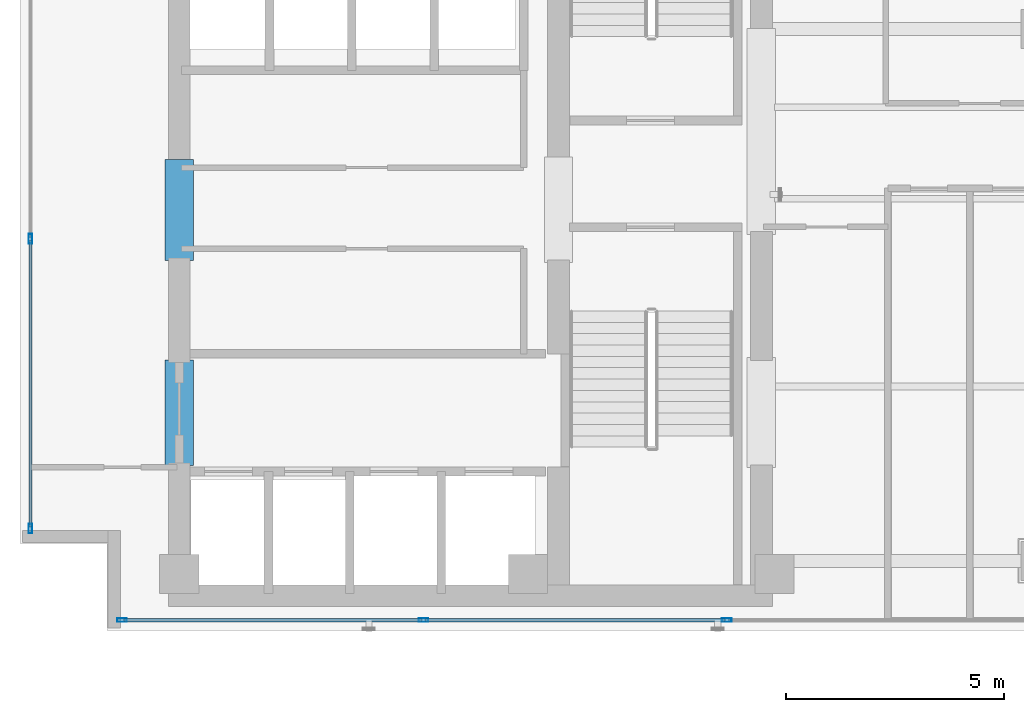
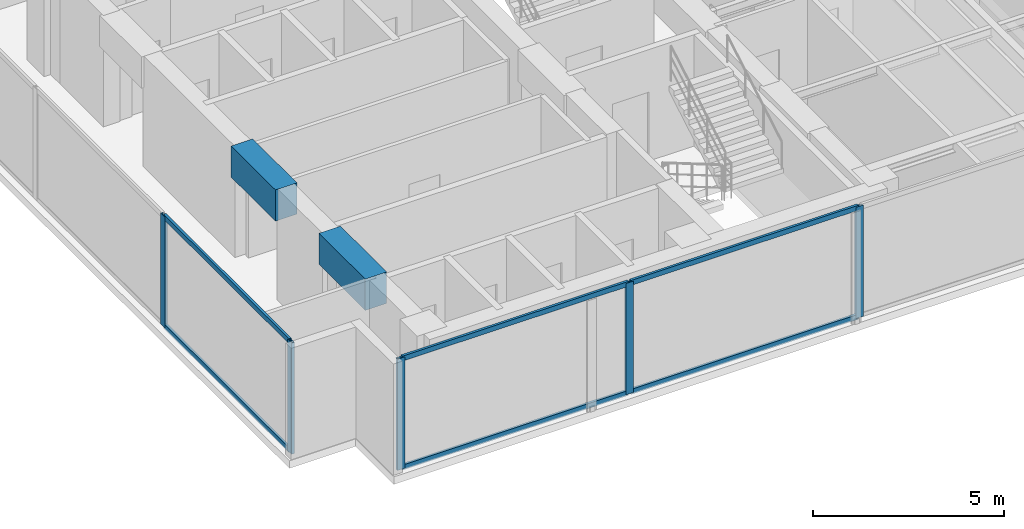
# One storey, part 2 of 22: 11 members, 2 beams, 2 elements without a shape of their own.
"""IFC4 building model written with IfcOpenShell, lengths in metres."""

import ifcopenshell
import ifcopenshell.guid

model = None  # the IFC model being written
_history = None  # IfcOwnerHistory: only IFC2X3 demands one
_inside = {}  # id of a spatial element -> (the spatial element, [elements in it])
_under = {}  # id of a project, library or spatial element -> (it, [spatial elements below it])
_declared = {}  # id of a project -> (the project, [libraries it declares])
_typed = {}  # id of a type object -> (the type object, [elements of that type])
_made_of = {}  # id of a material, layer set ... -> (it, [elements and type objects made of it])


def new_model(schema):
    """Start an empty IFC model of exactly this schema.

    Asked for "IFC4X3", IfcOpenShell would pick the latest addendum, in which some entities
    have other attributes; the version numbers below select the first issue.
    IFC2X3 requires an IfcOwnerHistory on every rooted entity: one is made here for all.
    """
    global model, _history
    if schema == "IFC4X3":
        model = ifcopenshell.file(schema_version=(4, 3, 0, 0))
    else:
        model = ifcopenshell.file(schema=schema)
    _inside.clear()
    _under.clear()
    _declared.clear()
    _typed.clear()
    _made_of.clear()
    _history = None
    if model.schema == "IFC2X3":
        org = make("IfcOrganization", Name="unknown")
        user = make(
            "IfcPersonAndOrganization",
            ThePerson=make("IfcPerson", FamilyName="unknown"),
            TheOrganization=org,
        )
        app = make(
            "IfcApplication",
            ApplicationDeveloper=org,
            Version="unknown",
            ApplicationFullName="unknown",
            ApplicationIdentifier="unknown",
        )
        _history = make(
            "IfcOwnerHistory",
            OwningUser=user,
            OwningApplication=app,
            ChangeAction="ADDED",
            CreationDate=0,
        )
    return model


def make(cls, **values):
    """One entity of the class cls with the attributes given. An attribute that is None is left unset."""
    return model.create_entity(
        cls, **{name: value for name, value in values.items() if value is not None}
    )


def rooted(cls, **values):
    """An entity with a GlobalId (a new one), such as an element, a storey or a relation."""
    return make(cls, GlobalId=ifcopenshell.guid.new(), OwnerHistory=_history, **values)


def si_unit(unit_type, name, prefix=None):
    """IfcSIUnit, for example si_unit("LENGTHUNIT", "METRE", prefix="MILLI")."""
    return make("IfcSIUnit", UnitType=unit_type, Prefix=prefix, Name=name)


def assignment(units):
    """IfcUnitAssignment: the units of a project."""
    return None if units is None else make("IfcUnitAssignment", Units=units)


def point(xyz):
    """IfcCartesianPoint."""
    return None if xyz is None else make("IfcCartesianPoint", Coordinates=xyz)


def direction(xyz):
    """IfcDirection."""
    return None if xyz is None else make("IfcDirection", DirectionRatios=xyz)


def frame(location, z_axis=None, x_axis=None):
    """IfcAxis2Placement3D, a coordinate frame: its origin and axes. An axis left out is left unset."""
    return make(
        "IfcAxis2Placement3D",
        Location=point(location),
        Axis=direction(z_axis),
        RefDirection=direction(x_axis),
    )


def frame_2d(location, x_axis=None):
    """IfcAxis2Placement2D, a coordinate frame in the plane: its origin and x axis."""
    return make(
        "IfcAxis2Placement2D", Location=point(location), RefDirection=direction(x_axis)
    )


def origin():
    """The frame at (0, 0, 0) with its axes left unset."""
    return frame((0.0, 0.0, 0.0))


def origin_with_axes():
    """The frame at (0, 0, 0) with the z axis (0, 0, 1) and the x axis (1, 0, 0) written out."""
    return frame((0.0, 0.0, 0.0), z_axis=(0.0, 0.0, 1.0), x_axis=(1.0, 0.0, 0.0))


def origin_2d():
    """The frame at (0, 0) in the plane with its x axis left unset."""
    return frame_2d((0.0, 0.0))


def place(relative_to, where):
    """IfcLocalPlacement: puts the frame where relative to a parent placement (None: the world)."""
    return make(
        "IfcLocalPlacement", PlacementRelTo=relative_to, RelativePlacement=where
    )


def context(
    kind, dimensions, precision=None, world=None, true_north=None, identifier=None
):
    """IfcGeometricRepresentationContext, for example the 3D "Model" context."""
    return make(
        "IfcGeometricRepresentationContext",
        ContextIdentifier=identifier,
        ContextType=kind,
        CoordinateSpaceDimension=dimensions,
        Precision=precision,
        WorldCoordinateSystem=world,
        TrueNorth=true_north,
    )


def subcontext(parent, identifier, kind, view, scale=None):
    """IfcGeometricRepresentationSubContext, for example "Body" below "Model"."""
    return make(
        "IfcGeometricRepresentationSubContext",
        ContextIdentifier=identifier,
        ContextType=kind,
        ParentContext=parent,
        TargetScale=scale,
        TargetView=view,
    )


def project(units=None, contexts=None):
    """IfcProject with its units and contexts."""
    return rooted(
        "IfcProject",
        Name="project",
        RepresentationContexts=contexts,
        UnitsInContext=assignment(units),
    )


def spatial(cls, under=None, at=None, **own):
    """A site, building, storey or space (cls), placed at a placement, below another one or the project."""
    s = rooted(cls, ObjectPlacement=at, **own)
    if under is not None:
        _under.setdefault(under.id(), (under, []))[1].append(s)
    return s


def profile(cls, at=None, kind="AREA", **sizes):
    """A parametric profile (cls). Its sizes go by their IFC names, for example OverallWidth=200.0."""
    return make(cls, ProfileType=kind, Position=at, **sizes)


def rectangle(**sizes):
    """IfcRectangleProfileDef."""
    return profile("IfcRectangleProfileDef", **sizes)


def hollow_rectangle(**sizes):
    """IfcRectangleHollowProfileDef."""
    return profile("IfcRectangleHollowProfileDef", **sizes)


def extrude(swept, where, along, depth):
    """IfcExtrudedAreaSolid: the profile swept, set in the frame where, extruded along a direction by depth."""
    return make(
        "IfcExtrudedAreaSolid",
        SweptArea=swept,
        Position=where,
        ExtrudedDirection=direction(along),
        Depth=depth,
    )


def shape(context_of_items, identifier, shape_type, items):
    """IfcShapeRepresentation: the items that make up one representation, for example the "Body"."""
    return make(
        "IfcShapeRepresentation",
        ContextOfItems=context_of_items,
        RepresentationIdentifier=identifier,
        RepresentationType=shape_type,
        Items=items,
    )


def source(mapping_origin, context_of_items, identifier, shape_type, items):
    """IfcRepresentationMap: a shape defined once, which mapped items show again and again."""
    return make(
        "IfcRepresentationMap",
        MappingOrigin=mapping_origin,
        MappedRepresentation=shape(context_of_items, identifier, shape_type, items),
    )


def transform(
    local_origin,
    x_axis=None,
    y_axis=None,
    z_axis=None,
    scale=None,
    scale2=None,
    scale3=None,
    uniform=True,
):
    """IfcCartesianTransformationOperator3D, or its non-uniform kind. x_axis, y_axis, z_axis: its Axis1, 2, 3."""
    if uniform:
        return make(
            "IfcCartesianTransformationOperator3D",
            Axis1=direction(x_axis),
            Axis2=direction(y_axis),
            LocalOrigin=point(local_origin),
            Scale=scale,
            Axis3=direction(z_axis),
        )
    return make(
        "IfcCartesianTransformationOperator3DnonUniform",
        Axis1=direction(x_axis),
        Axis2=direction(y_axis),
        LocalOrigin=point(local_origin),
        Scale=scale,
        Axis3=direction(z_axis),
        Scale2=scale2,
        Scale3=scale3,
    )


def mapped(mapping_source, mapping_target):
    """IfcMappedItem: shows the shape of a source again, moved by a transform."""
    return make(
        "IfcMappedItem", MappingSource=mapping_source, MappingTarget=mapping_target
    )


def material(Name=None, Category=None):
    """IfcMaterial."""
    return make("IfcMaterial", Name=Name, Category=Category)


def layer(
    of_material, thickness, ventilated=None, Name=None, Category=None, Priority=None
):
    """IfcMaterialLayer: one layer of a wall or slab, of a material (None: an air gap)."""
    return make(
        "IfcMaterialLayer",
        Material=of_material,
        LayerThickness=thickness,
        IsVentilated=ventilated,
        Name=Name,
        Category=Category,
        Priority=Priority,
    )


def layer_set(layers, Name=None):
    """IfcMaterialLayerSet."""
    return make("IfcMaterialLayerSet", MaterialLayers=layers, LayerSetName=Name)


def material_profile(
    of_material, cross_section, Name=None, Category=None, Priority=None
):
    """IfcMaterialProfile: a cross section and its material."""
    return make(
        "IfcMaterialProfile",
        Name=Name,
        Material=of_material,
        Profile=cross_section,
        Priority=Priority,
        Category=Category,
    )


def profile_set(profiles, Name=None, composite=None):
    """IfcMaterialProfileSet."""
    return make(
        "IfcMaterialProfileSet",
        Name=Name,
        MaterialProfiles=profiles,
        CompositeProfile=composite,
    )


def made_of(thing, what):
    """Note that an element or type object is made of a material, layer set ...; save() writes the relation."""
    if what is not None:
        _made_of.setdefault(what.id(), (what, []))[1].append(thing)
    return thing


def type_object(cls, material=None, **own):
    """A type object (cls), such as IfcWallType, which elements share."""
    return made_of(rooted(cls, **own), material)


def element(
    cls,
    number,
    at=None,
    inside=None,
    cuts=None,
    type_object=None,
    material=None,
    context=None,
    identifier="Body",
    shape_type=None,
    held_by="IfcProductDefinitionShape",
    body=None,
    shapes=None,
    **own,
):
    """One element of the class cls, such as IfcWall. Its Tag is "e" and its number.

    at: its placement. inside: the storey or other place that contains it. cuts: it is an
    opening in that element (IfcRelVoidsElement). A single representation is given by context,
    identifier, shape_type and body (its items); several are given by shapes. held_by: the class
    of the entity that holds the representations. save() writes the other relations.
    """
    e = rooted(cls, Tag="e%d" % number, ObjectPlacement=at, **own)
    if body is not None:
        shapes = [shape(context, identifier, shape_type, body)]
    if shapes is not None:
        e.Representation = make(held_by, Representations=shapes)
    if inside is not None:
        _inside.setdefault(inside.id(), (inside, []))[1].append(e)
    if cuts is not None:
        rooted(
            "IfcRelVoidsElement", RelatingBuildingElement=cuts, RelatedOpeningElement=e
        )
    if type_object is not None:
        _typed.setdefault(type_object.id(), (type_object, []))[1].append(e)
    return made_of(e, material)


def aggregate(whole, parts):
    """IfcRelAggregates: a whole, such as a stair, and the parts it consists of."""
    return rooted("IfcRelAggregates", RelatingObject=whole, RelatedObjects=parts)


def save(model, path):
    """Write the relations noted so far, then the file.

    IfcRelAggregates (storeys below a building ...), IfcRelContainedInSpatialStructure (elements
    in a storey), IfcRelDefinesByType, IfcRelAssociatesMaterial and IfcRelDeclares: one each for
    every whole, place, type object, material and project.
    """
    for whole, parts in _under.values():
        aggregate(whole, parts)
    for where, things in _inside.values():
        rooted(
            "IfcRelContainedInSpatialStructure",
            RelatedElements=things,
            RelatingStructure=where,
        )
    for kind, things in _typed.values():
        rooted("IfcRelDefinesByType", RelatedObjects=things, RelatingType=kind)
    for what, things in _made_of.values():
        rooted("IfcRelAssociatesMaterial", RelatedObjects=things, RelatingMaterial=what)
    for by, libraries in _declared.values():
        rooted("IfcRelDeclares", RelatingContext=by, RelatedDefinitions=libraries)
    model.write(path)


model = new_model("IFC4")

# Units and contexts
model_context = context("Model", 3, precision=1e-05, world=origin(), true_north=direction((0.0, 1.0)))
body_context = subcontext(model_context, "Body", "Model", "MODEL_VIEW")
ifc_project = project(units=[si_unit("LENGTHUNIT", "METRE"), si_unit("AREAUNIT", "SQUARE_METRE"), si_unit("VOLUMEUNIT", "CUBIC_METRE"), si_unit("PLANEANGLEUNIT", "RADIAN"), si_unit("MASSUNIT", "GRAM", prefix="KILO")], contexts=[model_context])

# Site, building, storey
site_placement = place(None, origin())
site = spatial("IfcSite", under=ifc_project, at=site_placement, CompositionType="ELEMENT")
building_placement = place(site_placement, origin())
building = spatial("IfcBuilding", under=site, at=building_placement, Name="Kolvaren Waterfront Exchange", CompositionType="ELEMENT")
storey_placement = place(building_placement, frame((0.0, 0.0, 312.199951171875)))
storey = spatial("IfcBuildingStorey", under=building, at=storey_placement, Name="L80", CompositionType="ELEMENT", Elevation=312.199951171875)

# Beams
ifc_material_1 = material(Name="Concrete C60/75", Category="concrete")
ifc_material_profile_1 = material_profile(ifc_material_1, rectangle(XDim=0.64990234375, YDim=1.0, at=origin_2d()), Name="RC-CB-1000x650")
ifc_profile_set_1 = profile_set([ifc_material_profile_1], Name="Concrete C60/75")
beam_type = type_object("IfcBeamType", Name="STR-CB-1000", PredefinedType="SPANDREL", material=ifc_profile_set_1)
beam_1_placement = place(storey_placement, frame((7.449951171875, 7.389892578125, 3.06005859375), z_axis=(0.0, 1.0, 0.0), x_axis=(-1.0, 0.0, 0.0)))
element("IfcBeam", 1, at=beam_1_placement, inside=storey, type_object=beam_type, Name="L80 core coupling beam 3", PredefinedType="SPANDREL", context=body_context, shape_type="SweptSolid", body=[
    extrude(rectangle(XDim=0.64990234375, YDim=1.0, at=origin_2d()), origin(), (0.0, 0.0, 1.0), 2.420166015625),
])
beam_2_placement = place(storey_placement, frame((7.449951171875, 12.090087890625, 3.06005859375), z_axis=(0.0, 1.0, 0.0), x_axis=(-1.0, 0.0, 0.0)))
element("IfcBeam", 2, at=beam_2_placement, inside=storey, type_object=beam_type, Name="L80 core coupling beam 4", PredefinedType="SPANDREL", context=body_context, shape_type="SweptSolid", body=[
    extrude(rectangle(XDim=0.64990234375, YDim=1.0, at=origin_2d()), origin(), (0.0, 0.0, 1.0), 2.31982421875),
])

# Curtain wall, members
ifc_material_2 = material(Name="Anodised bronze aluminium 6063-T6", Category="aluminium")
ifc_layer_1 = layer(ifc_material_2, 0.219970703125, Name="Anodised bronze aluminium 6063-T6")
ifc_layer_set_1 = layer_set([ifc_layer_1], Name="Anodised bronze aluminium 6063-T6")
curtain_wall_type_1 = type_object("IfcCurtainWallType", Name="ARC-CW-SYS1", PredefinedType="USERDEFINED", material=ifc_layer_set_1)
curtain_wall_1_placement = place(storey_placement, origin())
curtain_wall_1 = element("IfcCurtainWall", 3, at=curtain_wall_1_placement, inside=storey, type_object=curtain_wall_type_1, Name="L80 stick curtain wall CW1 (CW-L80-S)", ObjectType="STICK CURTAIN WALL", PredefinedType="USERDEFINED")
ifc_material_3 = material(Name="Anodised aluminium 6063-T6", Category="aluminium")
ifc_material_profile_2 = material_profile(ifc_material_3, hollow_rectangle(XDim=0.080078125, YDim=0.219970703125, WallThickness=0.0048828125, at=origin_2d()), Name="ALU-MUL-220x80x5")
ifc_profile_set_2 = profile_set([ifc_material_profile_2], Name="Anodised aluminium 6063-T6")
member_type_1 = type_object("IfcMemberType", Name="ARC-CWM-220", PredefinedType="MULLION", material=ifc_profile_set_2)
shared_shape_1 = source(origin_with_axes(), body_context, "Body", "SweptSolid", [
    extrude(hollow_rectangle(XDim=0.080078125, YDim=0.219970703125, WallThickness=0.0048828125, at=origin_2d()), origin(), (0.0, 0.0, 1.0), 3.56005859375),
])
member_1_placement = place(storey_placement, frame((6.139892578125, 3.840087890625, 0.0), z_axis=(0.0, 0.0, 1.0), x_axis=(0.0, 1.0, 0.0)))
member_1 = element("IfcMember", 4, at=member_1_placement, type_object=member_type_1, Name="CW1 mullion 1", PredefinedType="MULLION", context=body_context, shape_type="MappedRepresentation", body=[
    mapped(shared_shape_1, transform((0.0, 0.0, 0.0), x_axis=(1.0, 0.0, 0.0), y_axis=(0.0, 1.0, 0.0), z_axis=(0.0, 0.0, 1.0), scale=1.0)),
])
member_2_placement = place(storey_placement, frame((13.053466796875, 3.840087890625, 0.0), z_axis=(0.0, 0.0, 1.0), x_axis=(0.0, 1.0, 0.0)))
member_2 = element("IfcMember", 5, at=member_2_placement, type_object=member_type_1, Name="CW1 mullion 2", PredefinedType="MULLION", context=body_context, shape_type="MappedRepresentation", body=[
    mapped(shared_shape_1, transform((0.0, 0.0, 0.0), x_axis=(1.0, 0.0, 0.0), y_axis=(0.0, 1.0, 0.0), z_axis=(0.0, 0.0, 1.0), scale=1.0)),
])
member_3_placement = place(storey_placement, frame((20.007080078125, 3.840087890625, 0.0), z_axis=(0.0, 0.0, 1.0), x_axis=(0.0, 1.0, 0.0)))
member_3 = element("IfcMember", 6, at=member_3_placement, type_object=member_type_1, Name="CW1 mullion 3", PredefinedType="MULLION", context=body_context, shape_type="MappedRepresentation", body=[
    mapped(shared_shape_1, transform((0.0, 0.0, 0.0), x_axis=(1.0, 0.0, 0.0), y_axis=(0.0, 1.0, 0.0), z_axis=(0.0, 0.0, 1.0), scale=1.0)),
])

ifc_layer_2 = layer(ifc_material_3, 0.219970703125, Name="Anodised aluminium 6063-T6")
ifc_layer_set_2 = layer_set([ifc_layer_2], Name="Anodised aluminium 6063-T6")
curtain_wall_type_2 = type_object("IfcCurtainWallType", Name="ARC-CW-SYS2", PredefinedType="USERDEFINED", material=ifc_layer_set_2)
curtain_wall_2_placement = place(storey_placement, origin())
curtain_wall_2 = element("IfcCurtainWall", 7, at=curtain_wall_2_placement, inside=storey, type_object=curtain_wall_type_2, Name="L80 stick curtain wall CW2 (CW-L80-W)", ObjectType="STICK CURTAIN WALL", PredefinedType="USERDEFINED")
member_4_placement = place(storey_placement, frame((4.0400390625, 5.93994140625, 0.0), z_axis=(0.0, 0.0, 1.0), x_axis=(-1.0, 0.0, 0.0)))
member_4 = element("IfcMember", 8, at=member_4_placement, type_object=member_type_1, Name="CW2 mullion 1", PredefinedType="MULLION", context=body_context, shape_type="MappedRepresentation", body=[
    mapped(shared_shape_1, transform((0.0, 0.0, 0.0), x_axis=(1.0, 0.0, 0.0), y_axis=(0.0, 1.0, 0.0), z_axis=(0.0, 0.0, 1.0), scale=1.0)),
])
member_5_placement = place(storey_placement, frame((4.0400390625, 12.5869140625, 0.0), z_axis=(0.0, 0.0, 1.0), x_axis=(-1.0, 0.0, 0.0)))
member_5 = element("IfcMember", 9, at=member_5_placement, type_object=member_type_1, Name="CW2 mullion 2", PredefinedType="MULLION", context=body_context, shape_type="MappedRepresentation", body=[
    mapped(shared_shape_1, transform((0.0, 0.0, 0.0), x_axis=(1.0, 0.0, 0.0), y_axis=(0.0, 1.0, 0.0), z_axis=(0.0, 0.0, 1.0), scale=1.0)),
])

# Member
ifc_material_profile_3 = material_profile(ifc_material_3, hollow_rectangle(XDim=0.074951171875, YDim=0.159912109375, WallThickness=0.00439453125, at=origin_2d()), Name="ALU-TRN-160x75x4.5")
ifc_profile_set_3 = profile_set([ifc_material_profile_3], Name="Anodised aluminium 6063-T6")
member_type_2 = type_object("IfcMemberType", Name="ARC-CWT-160", PredefinedType="USERDEFINED", material=ifc_profile_set_3)
shared_shape_2 = source(origin_with_axes(), body_context, "Body", "SweptSolid", [
    extrude(hollow_rectangle(XDim=0.074951171875, YDim=0.159912109375, WallThickness=0.00439453125, at=origin_2d()), origin(), (0.0, 0.0, 1.0), 6.83349609375),
])
member_6_placement = place(storey_placement, frame((6.179931640625, 3.840087890625, 0.03759765625), z_axis=(1.0, 0.0, 0.0), x_axis=(0.0, 1.0, 0.0)))
member_6 = element("IfcMember", 10, at=member_6_placement, type_object=member_type_2, Name="CW1 transom 1.1", ObjectType="TRANSOM", PredefinedType="USERDEFINED", context=body_context, shape_type="MappedRepresentation", body=[
    mapped(shared_shape_2, transform((0.0, 0.0, 0.0), x_axis=(1.0, 0.0, 0.0), y_axis=(0.0, 1.0, 0.0), z_axis=(0.0, 0.0, 1.0), scale=1.0)),
])

member_7_placement = place(storey_placement, frame((6.179931640625, 3.840087890625, 3.5224609375), z_axis=(1.0, 0.0, 0.0), x_axis=(0.0, 1.0, 0.0)))
member_7 = element("IfcMember", 11, at=member_7_placement, type_object=member_type_2, Name="CW1 transom 1.2", ObjectType="TRANSOM", PredefinedType="USERDEFINED", context=body_context, shape_type="MappedRepresentation", body=[
    mapped(shared_shape_2, transform((0.0, 0.0, 0.0), x_axis=(1.0, 0.0, 0.0), y_axis=(0.0, 1.0, 0.0), z_axis=(0.0, 0.0, 1.0), scale=1.0)),
])

shared_shape_3 = source(origin_with_axes(), body_context, "Body", "SweptSolid", [
    extrude(hollow_rectangle(XDim=0.074951171875, YDim=0.159912109375, WallThickness=0.00439453125, at=origin_2d()), origin(), (0.0, 0.0, 1.0), 6.87353515625),
])
member_8_placement = place(storey_placement, frame((13.093505859375, 3.840087890625, 0.03759765625), z_axis=(1.0, 0.0, 0.0), x_axis=(0.0, 1.0, 0.0)))
member_8 = element("IfcMember", 12, at=member_8_placement, type_object=member_type_2, Name="CW1 transom 2.1", ObjectType="TRANSOM", PredefinedType="USERDEFINED", context=body_context, shape_type="MappedRepresentation", body=[
    mapped(shared_shape_3, transform((0.0, 0.0, 0.0), x_axis=(1.0, 0.0, 0.0), y_axis=(0.0, 1.0, 0.0), z_axis=(0.0, 0.0, 1.0), scale=1.0)),
])

member_9_placement = place(storey_placement, frame((13.093505859375, 3.840087890625, 3.5224609375), z_axis=(1.0, 0.0, 0.0), x_axis=(0.0, 1.0, 0.0)))
member_9 = element("IfcMember", 13, at=member_9_placement, type_object=member_type_2, Name="CW1 transom 2.2", ObjectType="TRANSOM", PredefinedType="USERDEFINED", context=body_context, shape_type="MappedRepresentation", body=[
    mapped(shared_shape_3, transform((0.0, 0.0, 0.0), x_axis=(1.0, 0.0, 0.0), y_axis=(0.0, 1.0, 0.0), z_axis=(0.0, 0.0, 1.0), scale=1.0)),
])

aggregate(curtain_wall_1, [member_1, member_2, member_3, member_6, member_7, member_8, member_9])

shared_shape_4 = source(origin_with_axes(), body_context, "Body", "SweptSolid", [
    extrude(hollow_rectangle(XDim=0.074951171875, YDim=0.159912109375, WallThickness=0.00439453125, at=origin_2d()), origin(), (0.0, 0.0, 1.0), 6.56689453125),
])
member_10_placement = place(storey_placement, frame((4.0400390625, 5.97998046875, 0.03759765625), z_axis=(0.0, 1.0, 0.0), x_axis=(-1.0, 0.0, 0.0)))
member_10 = element("IfcMember", 14, at=member_10_placement, type_object=member_type_2, Name="CW2 transom 1.1", ObjectType="TRANSOM", PredefinedType="USERDEFINED", context=body_context, shape_type="MappedRepresentation", body=[
    mapped(shared_shape_4, transform((0.0, 0.0, 0.0), x_axis=(1.0, 0.0, 0.0), y_axis=(0.0, 1.0, 0.0), z_axis=(0.0, 0.0, 1.0), scale=1.0)),
])

member_11_placement = place(storey_placement, frame((4.0400390625, 5.97998046875, 3.5224609375), z_axis=(0.0, 1.0, 0.0), x_axis=(-1.0, 0.0, 0.0)))
member_11 = element("IfcMember", 15, at=member_11_placement, type_object=member_type_2, Name="CW2 transom 1.2", ObjectType="TRANSOM", PredefinedType="USERDEFINED", context=body_context, shape_type="MappedRepresentation", body=[
    mapped(shared_shape_4, transform((0.0, 0.0, 0.0), x_axis=(1.0, 0.0, 0.0), y_axis=(0.0, 1.0, 0.0), z_axis=(0.0, 0.0, 1.0), scale=1.0)),
])

aggregate(curtain_wall_2, [member_4, member_5, member_10, member_11])

save(model, "model.ifc")
